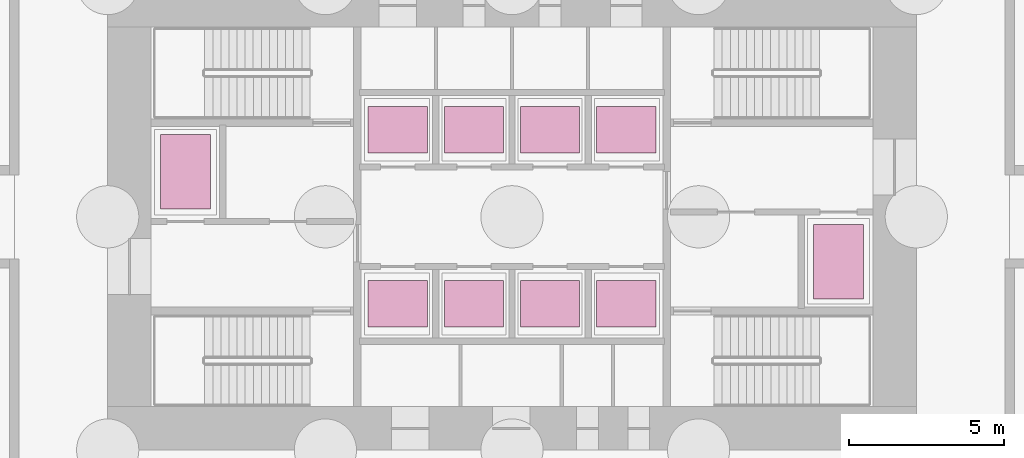
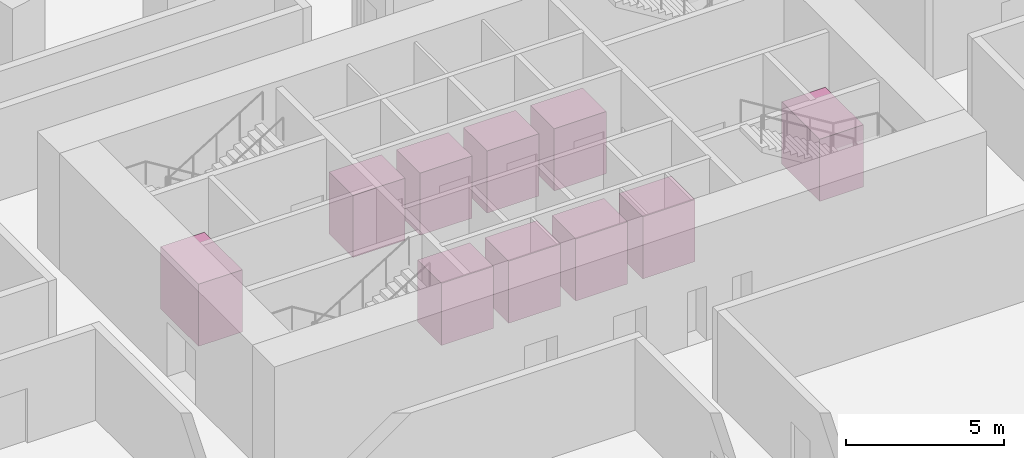
# One storey, part 10 of 10: 10 transport elements.
"""IFC4 building model written with IfcOpenShell, lengths in metres."""

import ifcopenshell
import ifcopenshell.guid

model = None  # the IFC model being written
_history = None  # IfcOwnerHistory: only IFC2X3 demands one
_inside = {}  # id of a spatial element -> (the spatial element, [elements in it])
_under = {}  # id of a project, library or spatial element -> (it, [spatial elements below it])
_declared = {}  # id of a project -> (the project, [libraries it declares])
_typed = {}  # id of a type object -> (the type object, [elements of that type])
_made_of = {}  # id of a material, layer set ... -> (it, [elements and type objects made of it])


def new_model(schema):
    """Start an empty IFC model of exactly this schema.

    Asked for "IFC4X3", IfcOpenShell would pick the latest addendum, in which some entities
    have other attributes; the version numbers below select the first issue.
    IFC2X3 requires an IfcOwnerHistory on every rooted entity: one is made here for all.
    """
    global model, _history
    if schema == "IFC4X3":
        model = ifcopenshell.file(schema_version=(4, 3, 0, 0))
    else:
        model = ifcopenshell.file(schema=schema)
    _inside.clear()
    _under.clear()
    _declared.clear()
    _typed.clear()
    _made_of.clear()
    _history = None
    if model.schema == "IFC2X3":
        org = make("IfcOrganization", Name="unknown")
        user = make(
            "IfcPersonAndOrganization",
            ThePerson=make("IfcPerson", FamilyName="unknown"),
            TheOrganization=org,
        )
        app = make(
            "IfcApplication",
            ApplicationDeveloper=org,
            Version="unknown",
            ApplicationFullName="unknown",
            ApplicationIdentifier="unknown",
        )
        _history = make(
            "IfcOwnerHistory",
            OwningUser=user,
            OwningApplication=app,
            ChangeAction="ADDED",
            CreationDate=0,
        )
    return model


def make(cls, **values):
    """One entity of the class cls with the attributes given. An attribute that is None is left unset."""
    return model.create_entity(
        cls, **{name: value for name, value in values.items() if value is not None}
    )


def rooted(cls, **values):
    """An entity with a GlobalId (a new one), such as an element, a storey or a relation."""
    return make(cls, GlobalId=ifcopenshell.guid.new(), OwnerHistory=_history, **values)


def si_unit(unit_type, name, prefix=None):
    """IfcSIUnit, for example si_unit("LENGTHUNIT", "METRE", prefix="MILLI")."""
    return make("IfcSIUnit", UnitType=unit_type, Prefix=prefix, Name=name)


def assignment(units):
    """IfcUnitAssignment: the units of a project."""
    return None if units is None else make("IfcUnitAssignment", Units=units)


def point(xyz):
    """IfcCartesianPoint."""
    return None if xyz is None else make("IfcCartesianPoint", Coordinates=xyz)


def direction(xyz):
    """IfcDirection."""
    return None if xyz is None else make("IfcDirection", DirectionRatios=xyz)


def frame(location, z_axis=None, x_axis=None):
    """IfcAxis2Placement3D, a coordinate frame: its origin and axes. An axis left out is left unset."""
    return make(
        "IfcAxis2Placement3D",
        Location=point(location),
        Axis=direction(z_axis),
        RefDirection=direction(x_axis),
    )


def frame_2d(location, x_axis=None):
    """IfcAxis2Placement2D, a coordinate frame in the plane: its origin and x axis."""
    return make(
        "IfcAxis2Placement2D", Location=point(location), RefDirection=direction(x_axis)
    )


def origin():
    """The frame at (0, 0, 0) with its axes left unset."""
    return frame((0.0, 0.0, 0.0))


def origin_2d():
    """The frame at (0, 0) in the plane with its x axis left unset."""
    return frame_2d((0.0, 0.0))


def place(relative_to, where):
    """IfcLocalPlacement: puts the frame where relative to a parent placement (None: the world)."""
    return make(
        "IfcLocalPlacement", PlacementRelTo=relative_to, RelativePlacement=where
    )


def context(
    kind, dimensions, precision=None, world=None, true_north=None, identifier=None
):
    """IfcGeometricRepresentationContext, for example the 3D "Model" context."""
    return make(
        "IfcGeometricRepresentationContext",
        ContextIdentifier=identifier,
        ContextType=kind,
        CoordinateSpaceDimension=dimensions,
        Precision=precision,
        WorldCoordinateSystem=world,
        TrueNorth=true_north,
    )


def subcontext(parent, identifier, kind, view, scale=None):
    """IfcGeometricRepresentationSubContext, for example "Body" below "Model"."""
    return make(
        "IfcGeometricRepresentationSubContext",
        ContextIdentifier=identifier,
        ContextType=kind,
        ParentContext=parent,
        TargetScale=scale,
        TargetView=view,
    )


def project(units=None, contexts=None):
    """IfcProject with its units and contexts."""
    return rooted(
        "IfcProject",
        Name="project",
        RepresentationContexts=contexts,
        UnitsInContext=assignment(units),
    )


def spatial(cls, under=None, at=None, **own):
    """A site, building, storey or space (cls), placed at a placement, below another one or the project."""
    s = rooted(cls, ObjectPlacement=at, **own)
    if under is not None:
        _under.setdefault(under.id(), (under, []))[1].append(s)
    return s


def profile(cls, at=None, kind="AREA", **sizes):
    """A parametric profile (cls). Its sizes go by their IFC names, for example OverallWidth=200.0."""
    return make(cls, ProfileType=kind, Position=at, **sizes)


def rectangle(**sizes):
    """IfcRectangleProfileDef."""
    return profile("IfcRectangleProfileDef", **sizes)


def extrude(swept, where, along, depth):
    """IfcExtrudedAreaSolid: the profile swept, set in the frame where, extruded along a direction by depth."""
    return make(
        "IfcExtrudedAreaSolid",
        SweptArea=swept,
        Position=where,
        ExtrudedDirection=direction(along),
        Depth=depth,
    )


def shape(context_of_items, identifier, shape_type, items):
    """IfcShapeRepresentation: the items that make up one representation, for example the "Body"."""
    return make(
        "IfcShapeRepresentation",
        ContextOfItems=context_of_items,
        RepresentationIdentifier=identifier,
        RepresentationType=shape_type,
        Items=items,
    )


def material(Name=None, Category=None):
    """IfcMaterial."""
    return make("IfcMaterial", Name=Name, Category=Category)


def made_of(thing, what):
    """Note that an element or type object is made of a material, layer set ...; save() writes the relation."""
    if what is not None:
        _made_of.setdefault(what.id(), (what, []))[1].append(thing)
    return thing


def type_object(cls, material=None, **own):
    """A type object (cls), such as IfcWallType, which elements share."""
    return made_of(rooted(cls, **own), material)


def element(
    cls,
    number,
    at=None,
    inside=None,
    cuts=None,
    type_object=None,
    material=None,
    context=None,
    identifier="Body",
    shape_type=None,
    held_by="IfcProductDefinitionShape",
    body=None,
    shapes=None,
    **own,
):
    """One element of the class cls, such as IfcWall. Its Tag is "e" and its number.

    at: its placement. inside: the storey or other place that contains it. cuts: it is an
    opening in that element (IfcRelVoidsElement). A single representation is given by context,
    identifier, shape_type and body (its items); several are given by shapes. held_by: the class
    of the entity that holds the representations. save() writes the other relations.
    """
    e = rooted(cls, Tag="e%d" % number, ObjectPlacement=at, **own)
    if body is not None:
        shapes = [shape(context, identifier, shape_type, body)]
    if shapes is not None:
        e.Representation = make(held_by, Representations=shapes)
    if inside is not None:
        _inside.setdefault(inside.id(), (inside, []))[1].append(e)
    if cuts is not None:
        rooted(
            "IfcRelVoidsElement", RelatingBuildingElement=cuts, RelatedOpeningElement=e
        )
    if type_object is not None:
        _typed.setdefault(type_object.id(), (type_object, []))[1].append(e)
    return made_of(e, material)


def aggregate(whole, parts):
    """IfcRelAggregates: a whole, such as a stair, and the parts it consists of."""
    return rooted("IfcRelAggregates", RelatingObject=whole, RelatedObjects=parts)


def save(model, path):
    """Write the relations noted so far, then the file.

    IfcRelAggregates (storeys below a building ...), IfcRelContainedInSpatialStructure (elements
    in a storey), IfcRelDefinesByType, IfcRelAssociatesMaterial and IfcRelDeclares: one each for
    every whole, place, type object, material and project.
    """
    for whole, parts in _under.values():
        aggregate(whole, parts)
    for where, things in _inside.values():
        rooted(
            "IfcRelContainedInSpatialStructure",
            RelatedElements=things,
            RelatingStructure=where,
        )
    for kind, things in _typed.values():
        rooted("IfcRelDefinesByType", RelatedObjects=things, RelatingType=kind)
    for what, things in _made_of.values():
        rooted("IfcRelAssociatesMaterial", RelatedObjects=things, RelatingMaterial=what)
    for by, libraries in _declared.values():
        rooted("IfcRelDeclares", RelatingContext=by, RelatedDefinitions=libraries)
    model.write(path)


model = new_model("IFC4")

# Units and contexts
model_context = context("Model", 3, precision=1e-05, world=origin(), true_north=direction((0.0, 1.0)))
body_context = subcontext(model_context, "Body", "Model", "MODEL_VIEW")
ifc_project = project(units=[si_unit("LENGTHUNIT", "METRE"), si_unit("AREAUNIT", "SQUARE_METRE"), si_unit("VOLUMEUNIT", "CUBIC_METRE"), si_unit("PLANEANGLEUNIT", "RADIAN"), si_unit("MASSUNIT", "GRAM", prefix="KILO")], contexts=[model_context])

# Site, building, storey
site_placement = place(None, origin())
site = spatial("IfcSite", under=ifc_project, at=site_placement, CompositionType="ELEMENT")
building_placement = place(site_placement, origin())
building = spatial("IfcBuilding", under=site, at=building_placement, Name="Rubra Terraces Tower", CompositionType="ELEMENT")
storey_placement = place(building_placement, frame((0.0, 0.0, -15.0)))
storey = spatial("IfcBuildingStorey", under=building, at=storey_placement, Name="B3", CompositionType="ELEMENT", Elevation=-15.0)

# Transport elements
ifc_material = material(Name="Stainless steel", Category="steel")
transport_element_type_1 = type_object("IfcTransportElementType", Name="Firefighting lift 2000 kg", PredefinedType="ELEVATOR", material=ifc_material)
for number, where, z_axis, x_axis, name in (
    (1, (-10.5, 5.949951171875, 0.0), (0.0, 0.0, 1.0), (1.0, 0.0, 0.0), "Lift FF1 car"),
    (2, (10.5, 3.050048828125, 0.0), (0.0, 0.0, 1.0), (1.0, 0.0, 0.0), "Lift FF2 car"),
):
    element("IfcTransportElement", number, at=place(storey_placement, frame(where, z_axis=z_axis, x_axis=x_axis)), inside=storey, type_object=transport_element_type_1, Name=name, PredefinedType="ELEVATOR", context=body_context, shape_type="SweptSolid", body=[
        extrude(rectangle(XDim=1.60009765625, YDim=2.39990234375, at=origin_2d()), origin(), (0.0, 0.0, 1.0), 2.39990234375),
    ])
transport_element_type_2 = type_object("IfcTransportElementType", Name="Passenger lift 1350 kg", PredefinedType="ELEVATOR", material=ifc_material)
for number, where, z_axis, x_axis, name in (
    (3, (1.22509765625, 1.699951171875, 0.0), (0.0, 0.0, 1.0), (1.0, 0.0, 0.0), "Lift SH1 car"),
    (4, (3.675048828125, 1.699951171875, 0.0), (0.0, 0.0, 1.0), (1.0, 0.0, 0.0), "Lift SH2 car"),
    (5, (-3.675048828125, 1.699951171875, 0.0), (0.0, 0.0, 1.0), (1.0, 0.0, 0.0), "Lift LB1 car"),
    (6, (-1.22509765625, 1.699951171875, 0.0), (0.0, 0.0, 1.0), (1.0, 0.0, 0.0), "Lift LB2 car"),
    (7, (-3.675048828125, 7.300048828125, 0.0), (0.0, 0.0, 1.0), (1.0, 0.0, 0.0), "Lift LB3 car"),
    (8, (-1.22509765625, 7.300048828125, 0.0), (0.0, 0.0, 1.0), (1.0, 0.0, 0.0), "Lift LB4 car"),
    (9, (1.22509765625, 7.300048828125, 0.0), (0.0, 0.0, 1.0), (1.0, 0.0, 0.0), "Lift LB5 car"),
    (10, (3.675048828125, 7.300048828125, 0.0), (0.0, 0.0, 1.0), (1.0, 0.0, 0.0), "Lift LB6 car"),
):
    element("IfcTransportElement", number, at=place(storey_placement, frame(where, z_axis=z_axis, x_axis=x_axis)), inside=storey, type_object=transport_element_type_2, Name=name, PredefinedType="ELEVATOR", context=body_context, shape_type="SweptSolid", body=[
        extrude(rectangle(XDim=1.89990234375, YDim=1.5, at=origin_2d()), origin(), (0.0, 0.0, 1.0), 2.39990234375),
    ])

save(model, "model.ifc")
